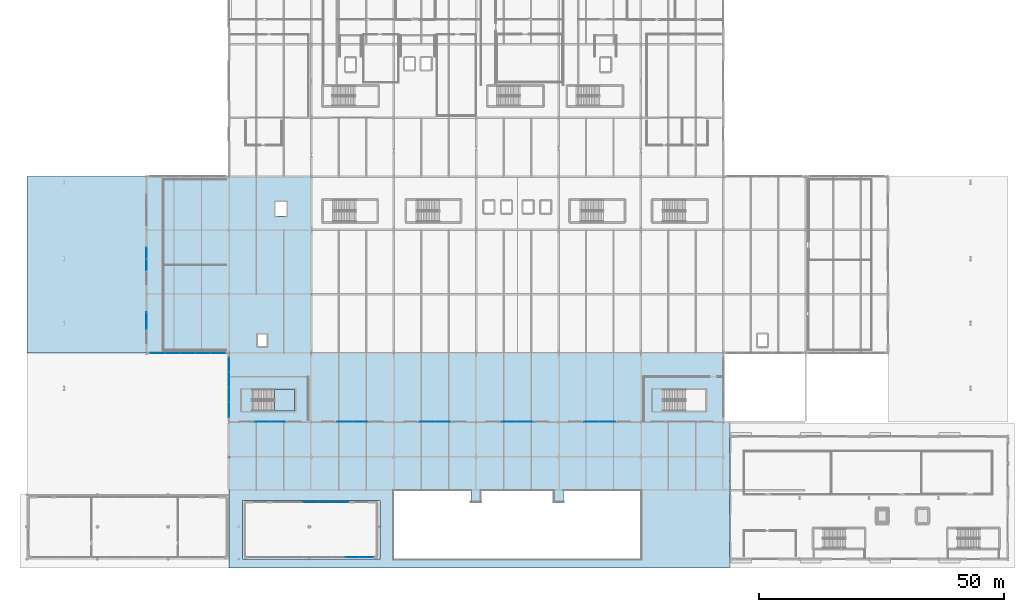
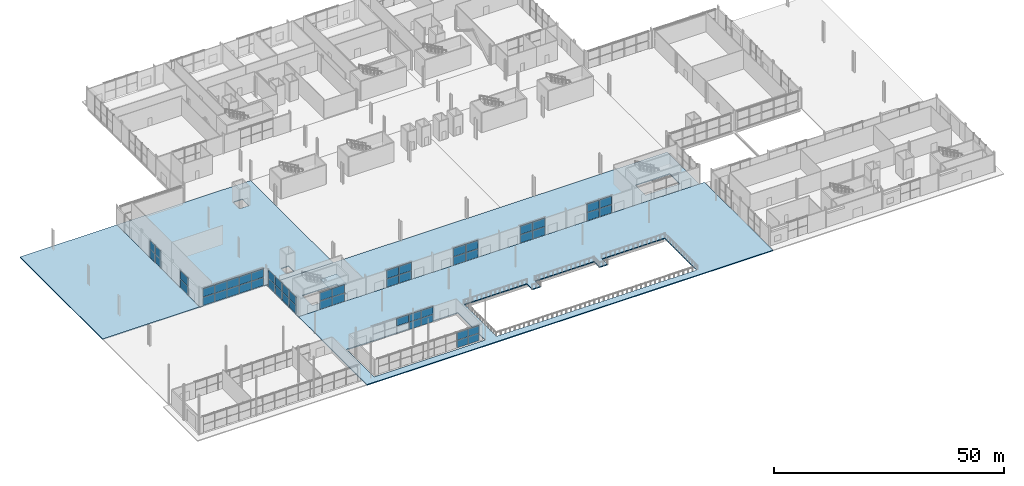
# One storey, part 53 of 87: 53 plates, 5 slabs, 12 elements without a shape of their own.
"""IFC4 building model written with IfcOpenShell, lengths in metres."""

from ifc_helpers import new_model, si_unit, direction, frame, origin, origin_2d, place, context, subcontext, project, spatial, polyline, rectangle, outline, extrude, material, layer, layer_set, type_object, element, aggregate, save


model = new_model("IFC4")

# Units and contexts
model_context = context("Model", 3, precision=1e-05, world=origin(), true_north=direction((0.0, 1.0)))
body_context = subcontext(model_context, "Body", "Model", "MODEL_VIEW")
ifc_project = project(units=[si_unit("LENGTHUNIT", "METRE"), si_unit("AREAUNIT", "SQUARE_METRE"), si_unit("VOLUMEUNIT", "CUBIC_METRE"), si_unit("PLANEANGLEUNIT", "RADIAN"), si_unit("MASSUNIT", "GRAM", prefix="KILO")], contexts=[model_context])

# Site, building, storey
site_placement = place(None, origin())
site = spatial("IfcSite", under=ifc_project, at=site_placement, CompositionType="ELEMENT")
building_placement = place(site_placement, origin())
building = spatial("IfcBuilding", under=site, at=building_placement, Name="Kimbaza Rail Terminus", CompositionType="ELEMENT")
storey_placement = place(building_placement, origin())
storey = spatial("IfcBuildingStorey", under=building, at=storey_placement, Name="L00", CompositionType="ELEMENT", Elevation=0.0)

# Curtain wall, plates
ifc_material_1 = material(Name="Anodised aluminium framing and solar low-E glazing", Category="aluminium")
curtain_wall_type_1 = type_object("IfcCurtainWallType", Name="ARC-CW-TH1", PredefinedType="USERDEFINED", material=ifc_material_1)
curtain_wall_1_placement = place(storey_placement, origin())
curtain_wall_1 = element("IfcCurtainWall", 1, at=curtain_wall_1_placement, inside=storey, type_object=curtain_wall_type_1, Name="Concourse W Return Curtain Wall L00", ObjectType="UNITISED CURTAIN WALL", PredefinedType="USERDEFINED")
ifc_material_2 = material(Name="Solar-control double low-E glazing", Category="glass")
ifc_layer_1 = layer(ifc_material_2, 0.035888671875)
ifc_layer_set_1 = layer_set([ifc_layer_1], Name="Solar-control double low-E glazing")
plate_type_1 = type_object("IfcPlateType", Name="ARC-CWP-01", PredefinedType="CURTAIN_PANEL", material=ifc_layer_set_1)
plate_1_placement = place(storey_placement, frame((55.199951171875, 43.43115234375, 0.0751953125), z_axis=(0.0, 0.0, 1.0), x_axis=(0.0, 1.0, 0.0)))
plate_1 = element("IfcPlate", 2, at=plate_1_placement, type_object=plate_type_1, Name="CW-01 panel 1.1", PredefinedType="CURTAIN_PANEL", context=body_context, shape_type="SweptSolid", body=[
    extrude(rectangle(XDim=2.952392578125, YDim=0.035888671875, at=origin_2d()), origin(), (0.0, 0.0, 1.0), 2.199951171875),
])
plate_2_placement = place(storey_placement, frame((55.199951171875, 43.43115234375, 2.35009765625), z_axis=(0.0, 0.0, 1.0), x_axis=(0.0, 1.0, 0.0)))
plate_2 = element("IfcPlate", 3, at=plate_2_placement, type_object=plate_type_1, Name="CW-01 panel 1.2", PredefinedType="CURTAIN_PANEL", context=body_context, shape_type="SweptSolid", body=[
    extrude(rectangle(XDim=2.952392578125, YDim=0.035888671875, at=origin_2d()), origin(), (0.0, 0.0, 1.0), 2.199951171875),
])
plate_3_placement = place(storey_placement, frame((55.199951171875, 46.4775390625, 0.0751953125), z_axis=(0.0, 0.0, 1.0), x_axis=(0.0, 1.0, 0.0)))
plate_3 = element("IfcPlate", 4, at=plate_3_placement, type_object=plate_type_1, Name="CW-01 panel 2.1", PredefinedType="CURTAIN_PANEL", context=body_context, shape_type="SweptSolid", body=[
    extrude(rectangle(XDim=2.989990234375, YDim=0.035888671875, at=origin_2d()), origin(), (0.0, 0.0, 1.0), 2.199951171875),
])
plate_4_placement = place(storey_placement, frame((55.199951171875, 46.4775390625, 2.35009765625), z_axis=(0.0, 0.0, 1.0), x_axis=(0.0, 1.0, 0.0)))
plate_4 = element("IfcPlate", 5, at=plate_4_placement, type_object=plate_type_1, Name="CW-01 panel 2.2", PredefinedType="CURTAIN_PANEL", context=body_context, shape_type="SweptSolid", body=[
    extrude(rectangle(XDim=2.989990234375, YDim=0.035888671875, at=origin_2d()), origin(), (0.0, 0.0, 1.0), 2.199951171875),
])
plate_5_placement = place(storey_placement, frame((55.199951171875, 49.54248046875, 0.0751953125), z_axis=(0.0, 0.0, 1.0), x_axis=(0.0, 1.0, 0.0)))
plate_5 = element("IfcPlate", 6, at=plate_5_placement, type_object=plate_type_1, Name="CW-01 panel 3.1", PredefinedType="CURTAIN_PANEL", context=body_context, shape_type="SweptSolid", body=[
    extrude(rectangle(XDim=2.989990234375, YDim=0.035888671875, at=origin_2d()), origin(), (0.0, 0.0, 1.0), 2.199951171875),
])
plate_6_placement = place(storey_placement, frame((55.199951171875, 49.54248046875, 2.35009765625), z_axis=(0.0, 0.0, 1.0), x_axis=(0.0, 1.0, 0.0)))
plate_6 = element("IfcPlate", 7, at=plate_6_placement, type_object=plate_type_1, Name="CW-01 panel 3.2", PredefinedType="CURTAIN_PANEL", context=body_context, shape_type="SweptSolid", body=[
    extrude(rectangle(XDim=2.989990234375, YDim=0.035888671875, at=origin_2d()), origin(), (0.0, 0.0, 1.0), 2.199951171875),
])
plate_7_placement = place(storey_placement, frame((55.199951171875, 52.5888671875, 0.0751953125), z_axis=(0.0, 0.0, 1.0), x_axis=(0.0, 1.0, 0.0)))
plate_7 = element("IfcPlate", 8, at=plate_7_placement, type_object=plate_type_1, Name="CW-01 panel 4.1", PredefinedType="CURTAIN_PANEL", context=body_context, shape_type="SweptSolid", body=[
    extrude(rectangle(XDim=2.952392578125, YDim=0.035888671875, at=origin_2d()), origin(), (0.0, 0.0, 1.0), 2.199951171875),
])
plate_8_placement = place(storey_placement, frame((55.199951171875, 52.5888671875, 2.35009765625), z_axis=(0.0, 0.0, 1.0), x_axis=(0.0, 1.0, 0.0)))
plate_8 = element("IfcPlate", 9, at=plate_8_placement, type_object=plate_type_1, Name="CW-01 panel 4.2", PredefinedType="CURTAIN_PANEL", context=body_context, shape_type="SweptSolid", body=[
    extrude(rectangle(XDim=2.952392578125, YDim=0.035888671875, at=origin_2d()), origin(), (0.0, 0.0, 1.0), 2.199951171875),
])
aggregate(curtain_wall_1, [plate_1, plate_2, plate_3, plate_4, plate_5, plate_6, plate_7, plate_8])

curtain_wall_2_placement = place(storey_placement, origin())
curtain_wall_2 = element("IfcCurtainWall", 10, at=curtain_wall_2_placement, inside=storey, type_object=curtain_wall_type_1, Name="Ticket Hall Wing W Curtain Wall L00.1", ObjectType="UNITISED CURTAIN WALL", PredefinedType="USERDEFINED")
plate_9_placement = place(storey_placement, frame((40.6748046875, 55.0, 0.0751953125), z_axis=(0.0, 0.0, 1.0), x_axis=(1.0, 0.0, 0.0)))
plate_9 = element("IfcPlate", 11, at=plate_9_placement, type_object=plate_type_1, Name="CW-01 panel 1.1", PredefinedType="CURTAIN_PANEL", context=body_context, shape_type="SweptSolid", body=[
    extrude(rectangle(XDim=2.95947265625, YDim=0.035888671875, at=origin_2d()), origin(), (0.0, 0.0, 1.0), 2.199951171875),
])
plate_10_placement = place(storey_placement, frame((40.6748046875, 55.0, 2.35009765625), z_axis=(0.0, 0.0, 1.0), x_axis=(1.0, 0.0, 0.0)))
plate_10 = element("IfcPlate", 12, at=plate_10_placement, type_object=plate_type_1, Name="CW-01 panel 1.2", PredefinedType="CURTAIN_PANEL", context=body_context, shape_type="SweptSolid", body=[
    extrude(rectangle(XDim=2.95947265625, YDim=0.035888671875, at=origin_2d()), origin(), (0.0, 0.0, 1.0), 2.199951171875),
])
plate_11_placement = place(storey_placement, frame((43.72802734375, 55.0, 0.0751953125), z_axis=(0.0, 0.0, 1.0), x_axis=(1.0, 0.0, 0.0)))
plate_11 = element("IfcPlate", 13, at=plate_11_placement, type_object=plate_type_1, Name="CW-01 panel 2.1", PredefinedType="CURTAIN_PANEL", context=body_context, shape_type="SweptSolid", body=[
    extrude(rectangle(XDim=2.9970703125, YDim=0.035888671875, at=origin_2d()), origin(), (0.0, 0.0, 1.0), 2.199951171875),
])
plate_12_placement = place(storey_placement, frame((43.72802734375, 55.0, 2.35009765625), z_axis=(0.0, 0.0, 1.0), x_axis=(1.0, 0.0, 0.0)))
plate_12 = element("IfcPlate", 14, at=plate_12_placement, type_object=plate_type_1, Name="CW-01 panel 2.2", PredefinedType="CURTAIN_PANEL", context=body_context, shape_type="SweptSolid", body=[
    extrude(rectangle(XDim=2.9970703125, YDim=0.035888671875, at=origin_2d()), origin(), (0.0, 0.0, 1.0), 2.199951171875),
])
plate_13_placement = place(storey_placement, frame((46.800048828125, 55.0, 0.0751953125), z_axis=(0.0, 0.0, 1.0), x_axis=(1.0, 0.0, 0.0)))
plate_13 = element("IfcPlate", 15, at=plate_13_placement, type_object=plate_type_1, Name="CW-01 panel 3.1", PredefinedType="CURTAIN_PANEL", context=body_context, shape_type="SweptSolid", body=[
    extrude(rectangle(XDim=2.9970703125, YDim=0.035888671875, at=origin_2d()), origin(), (0.0, 0.0, 1.0), 2.199951171875),
])
plate_14_placement = place(storey_placement, frame((46.800048828125, 55.0, 2.35009765625), z_axis=(0.0, 0.0, 1.0), x_axis=(1.0, 0.0, 0.0)))
plate_14 = element("IfcPlate", 16, at=plate_14_placement, type_object=plate_type_1, Name="CW-01 panel 3.2", PredefinedType="CURTAIN_PANEL", context=body_context, shape_type="SweptSolid", body=[
    extrude(rectangle(XDim=2.9970703125, YDim=0.035888671875, at=origin_2d()), origin(), (0.0, 0.0, 1.0), 2.199951171875),
])
plate_15_placement = place(storey_placement, frame((49.8720703125, 55.0, 0.0751953125), z_axis=(0.0, 0.0, 1.0), x_axis=(1.0, 0.0, 0.0)))
plate_15 = element("IfcPlate", 17, at=plate_15_placement, type_object=plate_type_1, Name="CW-01 panel 4.1", PredefinedType="CURTAIN_PANEL", context=body_context, shape_type="SweptSolid", body=[
    extrude(rectangle(XDim=2.9970703125, YDim=0.035888671875, at=origin_2d()), origin(), (0.0, 0.0, 1.0), 2.199951171875),
])
plate_16_placement = place(storey_placement, frame((49.8720703125, 55.0, 2.35009765625), z_axis=(0.0, 0.0, 1.0), x_axis=(1.0, 0.0, 0.0)))
plate_16 = element("IfcPlate", 18, at=plate_16_placement, type_object=plate_type_1, Name="CW-01 panel 4.2", PredefinedType="CURTAIN_PANEL", context=body_context, shape_type="SweptSolid", body=[
    extrude(rectangle(XDim=2.9970703125, YDim=0.035888671875, at=origin_2d()), origin(), (0.0, 0.0, 1.0), 2.199951171875),
])
plate_17_placement = place(storey_placement, frame((52.92529296875, 55.0, 0.0751953125), z_axis=(0.0, 0.0, 1.0), x_axis=(1.0, 0.0, 0.0)))
plate_17 = element("IfcPlate", 19, at=plate_17_placement, type_object=plate_type_1, Name="CW-01 panel 5.1", PredefinedType="CURTAIN_PANEL", context=body_context, shape_type="SweptSolid", body=[
    extrude(rectangle(XDim=2.95947265625, YDim=0.035888671875, at=origin_2d()), origin(), (0.0, 0.0, 1.0), 2.199951171875),
])
plate_18_placement = place(storey_placement, frame((52.92529296875, 55.0, 2.35009765625), z_axis=(0.0, 0.0, 1.0), x_axis=(1.0, 0.0, 0.0)))
plate_18 = element("IfcPlate", 20, at=plate_18_placement, type_object=plate_type_1, Name="CW-01 panel 5.2", PredefinedType="CURTAIN_PANEL", context=body_context, shape_type="SweptSolid", body=[
    extrude(rectangle(XDim=2.95947265625, YDim=0.035888671875, at=origin_2d()), origin(), (0.0, 0.0, 1.0), 2.199951171875),
])
aggregate(curtain_wall_2, [plate_9, plate_10, plate_11, plate_12, plate_13, plate_14, plate_15, plate_16, plate_17, plate_18])

curtain_wall_3_placement = place(storey_placement, origin())
curtain_wall_3 = element("IfcCurtainWall", 21, at=curtain_wall_3_placement, inside=storey, type_object=curtain_wall_type_1, Name="Ticket Hall W Glazing L00.1", ObjectType="UNITISED CURTAIN WALL", PredefinedType="USERDEFINED")
plate_19_placement = place(storey_placement, frame((38.39990234375, 61.60009765625, 0.074951171875), z_axis=(0.0, 0.0, 1.0), x_axis=(0.0, 1.0, 0.0)))
plate_19 = element("IfcPlate", 22, at=plate_19_placement, type_object=plate_type_1, Name="CW-01 panel 1.1", PredefinedType="CURTAIN_PANEL", context=body_context, shape_type="SweptSolid", body=[
    extrude(rectangle(XDim=3.449951171875, YDim=0.035888671875, at=origin_2d()), origin(), (0.0, 0.0, 1.0), 2.22509765625),
])
plate_20_placement = place(storey_placement, frame((38.39990234375, 61.60009765625, 2.375), z_axis=(0.0, 0.0, 1.0), x_axis=(0.0, 1.0, 0.0)))
plate_20 = element("IfcPlate", 23, at=plate_20_placement, type_object=plate_type_1, Name="CW-01 panel 1.2", PredefinedType="CURTAIN_PANEL", context=body_context, shape_type="SweptSolid", body=[
    extrude(rectangle(XDim=3.449951171875, YDim=0.035888671875, at=origin_2d()), origin(), (0.0, 0.0, 1.0), 2.22509765625),
])
aggregate(curtain_wall_3, [plate_19, plate_20])

curtain_wall_4_placement = place(storey_placement, origin())
curtain_wall_4 = element("IfcCurtainWall", 24, at=curtain_wall_4_placement, inside=storey, type_object=curtain_wall_type_1, Name="Ticket Hall W Glazing L00.2", ObjectType="UNITISED CURTAIN WALL", PredefinedType="USERDEFINED")
plate_21_placement = place(storey_placement, frame((38.39990234375, 73.018798828125, 0.074951171875), z_axis=(0.0, 0.0, 1.0), x_axis=(0.0, 1.0, 0.0)))
plate_21 = element("IfcPlate", 25, at=plate_21_placement, type_object=plate_type_1, Name="CW-01 panel 1.1", PredefinedType="CURTAIN_PANEL", context=body_context, shape_type="SweptSolid", body=[
    extrude(rectangle(XDim=2.28759765625, YDim=0.035888671875, at=origin_2d()), origin(), (0.0, 0.0, 1.0), 2.22509765625),
])
plate_22_placement = place(storey_placement, frame((38.39990234375, 73.018798828125, 2.375), z_axis=(0.0, 0.0, 1.0), x_axis=(0.0, 1.0, 0.0)))
plate_22 = element("IfcPlate", 26, at=plate_22_placement, type_object=plate_type_1, Name="CW-01 panel 1.2", PredefinedType="CURTAIN_PANEL", context=body_context, shape_type="SweptSolid", body=[
    extrude(rectangle(XDim=2.28759765625, YDim=0.035888671875, at=origin_2d()), origin(), (0.0, 0.0, 1.0), 2.22509765625),
])
plate_23_placement = place(storey_placement, frame((38.39990234375, 75.38134765625, 0.074951171875), z_axis=(0.0, 0.0, 1.0), x_axis=(0.0, 1.0, 0.0)))
plate_23 = element("IfcPlate", 27, at=plate_23_placement, type_object=plate_type_1, Name="CW-01 panel 2.1", PredefinedType="CURTAIN_PANEL", context=body_context, shape_type="SweptSolid", body=[
    extrude(rectangle(XDim=2.28759765625, YDim=0.035888671875, at=origin_2d()), origin(), (0.0, 0.0, 1.0), 2.22509765625),
])
plate_24_placement = place(storey_placement, frame((38.39990234375, 75.38134765625, 2.375), z_axis=(0.0, 0.0, 1.0), x_axis=(0.0, 1.0, 0.0)))
plate_24 = element("IfcPlate", 28, at=plate_24_placement, type_object=plate_type_1, Name="CW-01 panel 2.2", PredefinedType="CURTAIN_PANEL", context=body_context, shape_type="SweptSolid", body=[
    extrude(rectangle(XDim=2.28759765625, YDim=0.035888671875, at=origin_2d()), origin(), (0.0, 0.0, 1.0), 2.22509765625),
])
aggregate(curtain_wall_4, [plate_21, plate_22, plate_23, plate_24])

ifc_material_3 = material(Name="Anodised aluminium framing and solar low-E glazing", Category="aluminium")
curtain_wall_type_2 = type_object("IfcCurtainWallType", Name="ARC-CW-CN1", PredefinedType="USERDEFINED", material=ifc_material_3)
curtain_wall_5_placement = place(storey_placement, origin())
curtain_wall_5 = element("IfcCurtainWall", 29, at=curtain_wall_5_placement, inside=storey, type_object=curtain_wall_type_2, Name="South Concourse Glazing L00 Bay 1", ObjectType="UNITISED CURTAIN WALL", PredefinedType="USERDEFINED")
ifc_material_4 = material(Name="Solar-control double low-E glazing", Category="glass")
ifc_layer_2 = layer(ifc_material_4, 0.032958984375)
ifc_layer_set_2 = layer_set([ifc_layer_2], Name="Solar-control double low-E glazing")
plate_type_2 = type_object("IfcPlateType", Name="ARC-CWP-02", PredefinedType="CURTAIN_PANEL", material=ifc_layer_set_2)
plate_25_placement = place(storey_placement, frame((62.017578125, 41.0, 0.070068359375), z_axis=(0.0, 0.0, 1.0), x_axis=(1.0, 0.0, 0.0)))
plate_25 = element("IfcPlate", 30, at=plate_25_placement, type_object=plate_type_2, Name="CW-02 panel 1.1", PredefinedType="CURTAIN_PANEL", context=body_context, shape_type="SweptSolid", body=[
    extrude(rectangle(XDim=3.094970703125, YDim=0.032958984375, at=origin_2d()), origin(), (0.0, 0.0, 1.0), 2.20751953125),
])
plate_26_placement = place(storey_placement, frame((62.017578125, 41.0, 2.347412109375), z_axis=(0.0, 0.0, 1.0), x_axis=(1.0, 0.0, 0.0)))
plate_26 = element("IfcPlate", 31, at=plate_26_placement, type_object=plate_type_2, Name="CW-02 panel 1.2", PredefinedType="CURTAIN_PANEL", context=body_context, shape_type="SweptSolid", body=[
    extrude(rectangle(XDim=3.094970703125, YDim=0.032958984375, at=origin_2d()), origin(), (0.0, 0.0, 1.0), 2.20751953125),
])
plate_27_placement = place(storey_placement, frame((65.1826171875, 41.0, 0.070068359375), z_axis=(0.0, 0.0, 1.0), x_axis=(1.0, 0.0, 0.0)))
plate_27 = element("IfcPlate", 32, at=plate_27_placement, type_object=plate_type_2, Name="CW-02 panel 2.1", PredefinedType="CURTAIN_PANEL", context=body_context, shape_type="SweptSolid", body=[
    extrude(rectangle(XDim=3.094970703125, YDim=0.032958984375, at=origin_2d()), origin(), (0.0, 0.0, 1.0), 2.20751953125),
])
plate_28_placement = place(storey_placement, frame((65.1826171875, 41.0, 2.347412109375), z_axis=(0.0, 0.0, 1.0), x_axis=(1.0, 0.0, 0.0)))
plate_28 = element("IfcPlate", 33, at=plate_28_placement, type_object=plate_type_2, Name="CW-02 panel 2.2", PredefinedType="CURTAIN_PANEL", context=body_context, shape_type="SweptSolid", body=[
    extrude(rectangle(XDim=3.094970703125, YDim=0.032958984375, at=origin_2d()), origin(), (0.0, 0.0, 1.0), 2.20751953125),
])
aggregate(curtain_wall_5, [plate_25, plate_26, plate_27, plate_28])

curtain_wall_6_placement = place(storey_placement, origin())
curtain_wall_6 = element("IfcCurtainWall", 34, at=curtain_wall_6_placement, inside=storey, type_object=curtain_wall_type_2, Name="South Concourse Glazing L00 Bay 2", ObjectType="UNITISED CURTAIN WALL", PredefinedType="USERDEFINED")
plate_29_placement = place(storey_placement, frame((78.8173828125, 41.0, 0.070068359375), z_axis=(0.0, 0.0, 1.0), x_axis=(1.0, 0.0, 0.0)))
plate_29 = element("IfcPlate", 35, at=plate_29_placement, type_object=plate_type_2, Name="CW-02 panel 1.1", PredefinedType="CURTAIN_PANEL", context=body_context, shape_type="SweptSolid", body=[
    extrude(rectangle(XDim=3.094970703125, YDim=0.032958984375, at=origin_2d()), origin(), (0.0, 0.0, 1.0), 2.20751953125),
])
plate_30_placement = place(storey_placement, frame((78.8173828125, 41.0, 2.347412109375), z_axis=(0.0, 0.0, 1.0), x_axis=(1.0, 0.0, 0.0)))
plate_30 = element("IfcPlate", 36, at=plate_30_placement, type_object=plate_type_2, Name="CW-02 panel 1.2", PredefinedType="CURTAIN_PANEL", context=body_context, shape_type="SweptSolid", body=[
    extrude(rectangle(XDim=3.094970703125, YDim=0.032958984375, at=origin_2d()), origin(), (0.0, 0.0, 1.0), 2.20751953125),
])
plate_31_placement = place(storey_placement, frame((81.982421875, 41.0, 0.070068359375), z_axis=(0.0, 0.0, 1.0), x_axis=(1.0, 0.0, 0.0)))
plate_31 = element("IfcPlate", 37, at=plate_31_placement, type_object=plate_type_2, Name="CW-02 panel 2.1", PredefinedType="CURTAIN_PANEL", context=body_context, shape_type="SweptSolid", body=[
    extrude(rectangle(XDim=3.094970703125, YDim=0.032958984375, at=origin_2d()), origin(), (0.0, 0.0, 1.0), 2.20751953125),
])
plate_32_placement = place(storey_placement, frame((81.982421875, 41.0, 2.347412109375), z_axis=(0.0, 0.0, 1.0), x_axis=(1.0, 0.0, 0.0)))
plate_32 = element("IfcPlate", 38, at=plate_32_placement, type_object=plate_type_2, Name="CW-02 panel 2.2", PredefinedType="CURTAIN_PANEL", context=body_context, shape_type="SweptSolid", body=[
    extrude(rectangle(XDim=3.094970703125, YDim=0.032958984375, at=origin_2d()), origin(), (0.0, 0.0, 1.0), 2.20751953125),
])
aggregate(curtain_wall_6, [plate_29, plate_30, plate_31, plate_32])

curtain_wall_7_placement = place(storey_placement, origin())
curtain_wall_7 = element("IfcCurtainWall", 39, at=curtain_wall_7_placement, inside=storey, type_object=curtain_wall_type_2, Name="South Concourse Glazing L00 Bay 3", ObjectType="UNITISED CURTAIN WALL", PredefinedType="USERDEFINED")
plate_33_placement = place(storey_placement, frame((95.617431640625, 41.0, 0.070068359375), z_axis=(0.0, 0.0, 1.0), x_axis=(1.0, 0.0, 0.0)))
plate_33 = element("IfcPlate", 40, at=plate_33_placement, type_object=plate_type_2, Name="CW-02 panel 1.1", PredefinedType="CURTAIN_PANEL", context=body_context, shape_type="SweptSolid", body=[
    extrude(rectangle(XDim=3.094970703125, YDim=0.032958984375, at=origin_2d()), origin(), (0.0, 0.0, 1.0), 2.20751953125),
])
plate_34_placement = place(storey_placement, frame((95.617431640625, 41.0, 2.347412109375), z_axis=(0.0, 0.0, 1.0), x_axis=(1.0, 0.0, 0.0)))
plate_34 = element("IfcPlate", 41, at=plate_34_placement, type_object=plate_type_2, Name="CW-02 panel 1.2", PredefinedType="CURTAIN_PANEL", context=body_context, shape_type="SweptSolid", body=[
    extrude(rectangle(XDim=3.094970703125, YDim=0.032958984375, at=origin_2d()), origin(), (0.0, 0.0, 1.0), 2.20751953125),
])
plate_35_placement = place(storey_placement, frame((98.782470703125, 41.0, 0.070068359375), z_axis=(0.0, 0.0, 1.0), x_axis=(1.0, 0.0, 0.0)))
plate_35 = element("IfcPlate", 42, at=plate_35_placement, type_object=plate_type_2, Name="CW-02 panel 2.1", PredefinedType="CURTAIN_PANEL", context=body_context, shape_type="SweptSolid", body=[
    extrude(rectangle(XDim=3.094970703125, YDim=0.032958984375, at=origin_2d()), origin(), (0.0, 0.0, 1.0), 2.20751953125),
])
plate_36_placement = place(storey_placement, frame((98.782470703125, 41.0, 2.347412109375), z_axis=(0.0, 0.0, 1.0), x_axis=(1.0, 0.0, 0.0)))
plate_36 = element("IfcPlate", 43, at=plate_36_placement, type_object=plate_type_2, Name="CW-02 panel 2.2", PredefinedType="CURTAIN_PANEL", context=body_context, shape_type="SweptSolid", body=[
    extrude(rectangle(XDim=3.094970703125, YDim=0.032958984375, at=origin_2d()), origin(), (0.0, 0.0, 1.0), 2.20751953125),
])
aggregate(curtain_wall_7, [plate_33, plate_34, plate_35, plate_36])

curtain_wall_8_placement = place(storey_placement, origin())
curtain_wall_8 = element("IfcCurtainWall", 44, at=curtain_wall_8_placement, inside=storey, type_object=curtain_wall_type_2, Name="South Concourse Glazing L00 Bay 4", ObjectType="UNITISED CURTAIN WALL", PredefinedType="USERDEFINED")
plate_37_placement = place(storey_placement, frame((112.41748046875, 41.0, 0.070068359375), z_axis=(0.0, 0.0, 1.0), x_axis=(1.0, 0.0, 0.0)))
plate_37 = element("IfcPlate", 45, at=plate_37_placement, type_object=plate_type_2, Name="CW-02 panel 1.1", PredefinedType="CURTAIN_PANEL", context=body_context, shape_type="SweptSolid", body=[
    extrude(rectangle(XDim=3.094970703125, YDim=0.032958984375, at=origin_2d()), origin(), (0.0, 0.0, 1.0), 2.20751953125),
])
plate_38_placement = place(storey_placement, frame((112.41748046875, 41.0, 2.347412109375), z_axis=(0.0, 0.0, 1.0), x_axis=(1.0, 0.0, 0.0)))
plate_38 = element("IfcPlate", 46, at=plate_38_placement, type_object=plate_type_2, Name="CW-02 panel 1.2", PredefinedType="CURTAIN_PANEL", context=body_context, shape_type="SweptSolid", body=[
    extrude(rectangle(XDim=3.094970703125, YDim=0.032958984375, at=origin_2d()), origin(), (0.0, 0.0, 1.0), 2.20751953125),
])
plate_39_placement = place(storey_placement, frame((115.58251953125, 41.0, 0.070068359375), z_axis=(0.0, 0.0, 1.0), x_axis=(1.0, 0.0, 0.0)))
plate_39 = element("IfcPlate", 47, at=plate_39_placement, type_object=plate_type_2, Name="CW-02 panel 2.1", PredefinedType="CURTAIN_PANEL", context=body_context, shape_type="SweptSolid", body=[
    extrude(rectangle(XDim=3.094970703125, YDim=0.032958984375, at=origin_2d()), origin(), (0.0, 0.0, 1.0), 2.20751953125),
])
plate_40_placement = place(storey_placement, frame((115.58251953125, 41.0, 2.347412109375), z_axis=(0.0, 0.0, 1.0), x_axis=(1.0, 0.0, 0.0)))
plate_40 = element("IfcPlate", 48, at=plate_40_placement, type_object=plate_type_2, Name="CW-02 panel 2.2", PredefinedType="CURTAIN_PANEL", context=body_context, shape_type="SweptSolid", body=[
    extrude(rectangle(XDim=3.094970703125, YDim=0.032958984375, at=origin_2d()), origin(), (0.0, 0.0, 1.0), 2.20751953125),
])
aggregate(curtain_wall_8, [plate_37, plate_38, plate_39, plate_40])

curtain_wall_9_placement = place(storey_placement, origin())
curtain_wall_9 = element("IfcCurtainWall", 49, at=curtain_wall_9_placement, inside=storey, type_object=curtain_wall_type_2, Name="South Concourse Glazing L00 Bay 5", ObjectType="UNITISED CURTAIN WALL", PredefinedType="USERDEFINED")
plate_41_placement = place(storey_placement, frame((129.217529296875, 41.0, 0.070068359375), z_axis=(0.0, 0.0, 1.0), x_axis=(1.0, 0.0, 0.0)))
plate_41 = element("IfcPlate", 50, at=plate_41_placement, type_object=plate_type_2, Name="CW-02 panel 1.1", PredefinedType="CURTAIN_PANEL", context=body_context, shape_type="SweptSolid", body=[
    extrude(rectangle(XDim=3.094970703125, YDim=0.032958984375, at=origin_2d()), origin(), (0.0, 0.0, 1.0), 2.20751953125),
])
plate_42_placement = place(storey_placement, frame((129.217529296875, 41.0, 2.347412109375), z_axis=(0.0, 0.0, 1.0), x_axis=(1.0, 0.0, 0.0)))
plate_42 = element("IfcPlate", 51, at=plate_42_placement, type_object=plate_type_2, Name="CW-02 panel 1.2", PredefinedType="CURTAIN_PANEL", context=body_context, shape_type="SweptSolid", body=[
    extrude(rectangle(XDim=3.094970703125, YDim=0.032958984375, at=origin_2d()), origin(), (0.0, 0.0, 1.0), 2.20751953125),
])
plate_43_placement = place(storey_placement, frame((132.382568359375, 41.0, 0.070068359375), z_axis=(0.0, 0.0, 1.0), x_axis=(1.0, 0.0, 0.0)))
plate_43 = element("IfcPlate", 52, at=plate_43_placement, type_object=plate_type_2, Name="CW-02 panel 2.1", PredefinedType="CURTAIN_PANEL", context=body_context, shape_type="SweptSolid", body=[
    extrude(rectangle(XDim=3.094970703125, YDim=0.032958984375, at=origin_2d()), origin(), (0.0, 0.0, 1.0), 2.20751953125),
])
plate_44_placement = place(storey_placement, frame((132.382568359375, 41.0, 2.347412109375), z_axis=(0.0, 0.0, 1.0), x_axis=(1.0, 0.0, 0.0)))
plate_44 = element("IfcPlate", 53, at=plate_44_placement, type_object=plate_type_2, Name="CW-02 panel 2.2", PredefinedType="CURTAIN_PANEL", context=body_context, shape_type="SweptSolid", body=[
    extrude(rectangle(XDim=3.094970703125, YDim=0.032958984375, at=origin_2d()), origin(), (0.0, 0.0, 1.0), 2.20751953125),
])
aggregate(curtain_wall_9, [plate_41, plate_42, plate_43, plate_44])

ifc_material_5 = material(Name="Anodised aluminium framing and solar low-E glazing", Category="aluminium")
curtain_wall_type_3 = type_object("IfcCurtainWallType", Name="ARC-CW-PV1", PredefinedType="USERDEFINED", material=ifc_material_5)
curtain_wall_10_placement = place(storey_placement, origin())
curtain_wall_10 = element("IfcCurtainWall", 54, at=curtain_wall_10_placement, inside=storey, type_object=curtain_wall_type_3, Name="Taxi Waiting Pavilion North Curtain Wall", ObjectType="STICK CURTAIN WALL", PredefinedType="USERDEFINED")
ifc_material_6 = material(Name="Solar-control double low-E glazing", Category="glass")
ifc_layer_3 = layer(ifc_material_6, 0.027099609375)
ifc_layer_set_3 = layer_set([ifc_layer_3], Name="Solar-control double low-E glazing")
plate_type_3 = type_object("IfcPlateType", Name="ARC-CWP-04", PredefinedType="CURTAIN_PANEL", material=ifc_layer_set_3)
plate_45_placement = place(storey_placement, frame((71.89990234375, 24.60009765625, 2.132568359375), z_axis=(0.0, 0.0, 1.0), x_axis=(1.0, 0.0, 0.0)))
plate_45 = element("IfcPlate", 55, at=plate_45_placement, type_object=plate_type_3, Name="CW-04 panel 3.2", PredefinedType="CURTAIN_PANEL", context=body_context, shape_type="SweptSolid", body=[
    extrude(rectangle(XDim=3.014892578125, YDim=0.027099609375, at=origin_2d()), origin(), (0.0, 0.0, 1.0), 2.00244140625),
])
plate_46_placement = place(storey_placement, frame((74.97998046875, 24.60009765625, 0.06494140625), z_axis=(0.0, 0.0, 1.0), x_axis=(1.0, 0.0, 0.0)))
plate_46 = element("IfcPlate", 56, at=plate_46_placement, type_object=plate_type_3, Name="CW-04 panel 4.1", PredefinedType="CURTAIN_PANEL", context=body_context, shape_type="SweptSolid", body=[
    extrude(rectangle(XDim=3.014892578125, YDim=0.027099609375, at=origin_2d()), origin(), (0.0, 0.0, 1.0), 2.00244140625),
])
plate_47_placement = place(storey_placement, frame((74.97998046875, 24.60009765625, 2.132568359375), z_axis=(0.0, 0.0, 1.0), x_axis=(1.0, 0.0, 0.0)))
plate_47 = element("IfcPlate", 57, at=plate_47_placement, type_object=plate_type_3, Name="CW-04 panel 4.2", PredefinedType="CURTAIN_PANEL", context=body_context, shape_type="SweptSolid", body=[
    extrude(rectangle(XDim=3.014892578125, YDim=0.027099609375, at=origin_2d()), origin(), (0.0, 0.0, 1.0), 2.00244140625),
])
plate_48_placement = place(storey_placement, frame((78.043701171875, 24.60009765625, 0.06494140625), z_axis=(0.0, 0.0, 1.0), x_axis=(1.0, 0.0, 0.0)))
plate_48 = element("IfcPlate", 58, at=plate_48_placement, type_object=plate_type_3, Name="CW-04 panel 5.1", PredefinedType="CURTAIN_PANEL", context=body_context, shape_type="SweptSolid", body=[
    extrude(rectangle(XDim=2.982421875, YDim=0.027099609375, at=origin_2d()), origin(), (0.0, 0.0, 1.0), 2.00244140625),
])
plate_49_placement = place(storey_placement, frame((78.043701171875, 24.60009765625, 2.132568359375), z_axis=(0.0, 0.0, 1.0), x_axis=(1.0, 0.0, 0.0)))
plate_49 = element("IfcPlate", 59, at=plate_49_placement, type_object=plate_type_3, Name="CW-04 panel 5.2", PredefinedType="CURTAIN_PANEL", context=body_context, shape_type="SweptSolid", body=[
    extrude(rectangle(XDim=2.982421875, YDim=0.027099609375, at=origin_2d()), origin(), (0.0, 0.0, 1.0), 2.00244140625),
])
aggregate(curtain_wall_10, [plate_45, plate_46, plate_47, plate_48, plate_49])

curtain_wall_11_placement = place(storey_placement, origin())
curtain_wall_11 = element("IfcCurtainWall", 60, at=curtain_wall_11_placement, inside=storey, type_object=curtain_wall_type_3, Name="Taxi Waiting Pavilion South Curtain Wall", ObjectType="STICK CURTAIN WALL", PredefinedType="USERDEFINED")
plate_50_placement = place(storey_placement, frame((80.419921875, 13.39990234375, 0.06494140625), z_axis=(0.0, 0.0, 1.0), x_axis=(1.0, 0.0, 0.0)))
plate_50 = element("IfcPlate", 61, at=plate_50_placement, type_object=plate_type_3, Name="CW-04 panel 8.1", PredefinedType="CURTAIN_PANEL", context=body_context, shape_type="SweptSolid", body=[
    extrude(rectangle(XDim=2.77490234375, YDim=0.027099609375, at=origin_2d()), origin(), (0.0, 0.0, 1.0), 2.00244140625),
])
plate_51_placement = place(storey_placement, frame((80.419921875, 13.39990234375, 2.132568359375), z_axis=(0.0, 0.0, 1.0), x_axis=(1.0, 0.0, 0.0)))
plate_51 = element("IfcPlate", 62, at=plate_51_placement, type_object=plate_type_3, Name="CW-04 panel 8.2", PredefinedType="CURTAIN_PANEL", context=body_context, shape_type="SweptSolid", body=[
    extrude(rectangle(XDim=2.77490234375, YDim=0.027099609375, at=origin_2d()), origin(), (0.0, 0.0, 1.0), 2.00244140625),
])
plate_52_placement = place(storey_placement, frame((83.24365234375, 13.39990234375, 0.06494140625), z_axis=(0.0, 0.0, 1.0), x_axis=(1.0, 0.0, 0.0)))
plate_52 = element("IfcPlate", 63, at=plate_52_placement, type_object=plate_type_3, Name="CW-04 panel 9.1", PredefinedType="CURTAIN_PANEL", context=body_context, shape_type="SweptSolid", body=[
    extrude(rectangle(XDim=2.742431640625, YDim=0.027099609375, at=origin_2d()), origin(), (0.0, 0.0, 1.0), 2.00244140625),
])
plate_53_placement = place(storey_placement, frame((83.24365234375, 13.39990234375, 2.132568359375), z_axis=(0.0, 0.0, 1.0), x_axis=(1.0, 0.0, 0.0)))
plate_53 = element("IfcPlate", 64, at=plate_53_placement, type_object=plate_type_3, Name="CW-04 panel 9.2", PredefinedType="CURTAIN_PANEL", context=body_context, shape_type="SweptSolid", body=[
    extrude(rectangle(XDim=2.742431640625, YDim=0.027099609375, at=origin_2d()), origin(), (0.0, 0.0, 1.0), 2.00244140625),
])
aggregate(curtain_wall_11, [plate_50, plate_51, plate_52, plate_53])

# Slabs
ifc_material_7 = material(Name="Concrete C40/50", Category="concrete")
ifc_layer_4 = layer(ifc_material_7, 0.25)
ifc_layer_set_4 = layer_set([ifc_layer_4], Name="Concrete C40/50")
slab_type_1 = type_object("IfcSlabType", Name="STR-SL-CON250", PredefinedType="FLOOR", material=ifc_layer_set_4)
slab_1_placement = place(storey_placement, frame((0.0, 0.0, -0.25)))
element("IfcSlab", 65, at=slab_1_placement, inside=storey, type_object=slab_type_1, Name="Concourse L00 Slab SLB-V2-L00-SOUTH", PredefinedType="FLOOR", context=body_context, shape_type="SweptSolid", body=[
    extrude(outline(polyline([(55.199951171875, 41.0), (156.0, 41.0), (156.0, 55.0), (55.199951171875, 55.0), (55.199951171875, 41.0)]), holes=[polyline([(59.925048828125, 43.199951171875), (68.60009765625, 43.199951171875), (68.60009765625, 47.60009765625), (59.925048828125, 47.60009765625), (59.925048828125, 43.199951171875)]), polyline([(143.72509765625, 43.199951171875), (152.39990234375, 43.199951171875), (152.39990234375, 47.60009765625), (143.72509765625, 47.60009765625), (143.72509765625, 43.199951171875)])]), origin(), (0.0, 0.0, 1.0), 0.25),
])
slab_2_placement = place(storey_placement, frame((0.0, 0.0, -0.25)))
element("IfcSlab", 66, at=slab_2_placement, inside=storey, type_object=slab_type_1, Name="Concourse L00 Slab SLB-V2-L00-WEST", PredefinedType="FLOOR", context=body_context, shape_type="SweptSolid", body=[
    extrude(outline(polyline([(38.39990234375, 55.0), (72.0, 55.0), (72.0, 91.0), (38.39990234375, 91.0), (38.39990234375, 55.0)]), holes=[polyline([(61.050048828125, 56.39990234375), (62.949951171875, 56.39990234375), (62.949951171875, 58.800048828125), (61.050048828125, 58.800048828125), (61.050048828125, 56.39990234375)]), polyline([(64.64990234375, 82.949951171875), (66.949951171875, 82.949951171875), (66.949951171875, 85.85009765625), (64.64990234375, 85.85009765625), (64.64990234375, 82.949951171875)])]), origin(), (0.0, 0.0, 1.0), 0.25),
])

# Stair, slab
ifc_material_8 = material(Name="Concrete C40/50", Category="concrete")
stair_type = type_object("IfcStairType", Name="ARC-STR-06", PredefinedType="HALF_TURN_STAIR", material=ifc_material_8)
stair_placement = place(storey_placement, origin())
stair = element("IfcStair", 67, at=stair_placement, inside=storey, type_object=stair_type, Name="L00 South Metro Concourse West Stair", PredefinedType="HALF_TURN_STAIR")
ifc_material_9 = material(Name="Concrete C40/50", Category="concrete")
ifc_layer_5 = layer(ifc_material_9, 0.199951171875)
ifc_layer_set_5 = layer_set([ifc_layer_5], Name="Concrete C40/50")
slab_type_2 = type_object("IfcSlabType", Name="STR-SL-LND200", PredefinedType="LANDING", material=ifc_layer_set_5)
slab_3_placement = place(storey_placement, frame((0.0, 0.0, 2.5)))
slab_3 = element("IfcSlab", 68, at=slab_3_placement, type_object=slab_type_2, Name="ST-S1 landing 1", PredefinedType="LANDING", context=body_context, shape_type="SweptSolid", body=[
    extrude(outline(polyline([(64.52001953125, 43.199951171875), (68.60009765625, 43.199951171875), (68.60009765625, 47.60009765625), (64.52001953125, 47.60009765625), (64.52001953125, 43.199951171875)])), origin(), (0.0, 0.0, 1.0), 0.199951171875),
])
aggregate(stair, [slab_3])

# Slabs
ifc_material_10 = material(Name="Concrete C40/50", Category="concrete")
ifc_layer_6 = layer(ifc_material_10, 0.25)
ifc_layer_set_6 = layer_set([ifc_layer_6], Name="Concrete C40/50")
slab_type_3 = type_object("IfcSlabType", Name="STR-SL-PLZ250", PredefinedType="BASESLAB", material=ifc_layer_set_6)
slab_4_placement = place(storey_placement, frame((0.0, 0.0, -0.25)))
element("IfcSlab", 69, at=slab_4_placement, inside=storey, type_object=slab_type_3, Name="South Forecourt Colonnade and Courtyard Paving", PredefinedType="BASESLAB", context=body_context, shape_type="SweptSolid", body=[
    extrude(outline(polyline([(55.199951171875, 11.199951171875), (157.300048828125, 11.199951171875), (157.300048828125, 41.0), (55.199951171875, 41.0), (55.199951171875, 11.199951171875)]), holes=[polyline([(88.800048828125, 13.0), (139.199951171875, 13.0), (139.199951171875, 27.0), (123.449951171875, 27.0), (123.449951171875, 24.60009765625), (121.39990234375, 24.60009765625), (121.39990234375, 27.0), (106.60009765625, 27.0), (106.60009765625, 24.60009765625), (104.550048828125, 24.60009765625), (104.550048828125, 27.0), (88.800048828125, 27.0), (88.800048828125, 13.0)]), polyline([(58.0, 13.0), (86.0, 13.0), (86.0, 25.0), (58.0, 25.0), (58.0, 13.0)])]), origin(), (0.0, 0.0, 1.0), 0.25),
])
slab_5_placement = place(storey_placement, frame((0.0, 0.0, -0.25)))
element("IfcSlab", 70, at=slab_5_placement, inside=storey, type_object=slab_type_3, Name="West Baggage Forecourt Apron", PredefinedType="BASESLAB", context=body_context, shape_type="SweptSolid", body=[
    extrude(outline(polyline([(14.0, 55.0), (38.39990234375, 55.0), (38.39990234375, 91.0), (14.0, 91.0), (14.0, 55.0)])), origin(), (0.0, 0.0, 1.0), 0.25),
])

save(model, "model.ifc")
